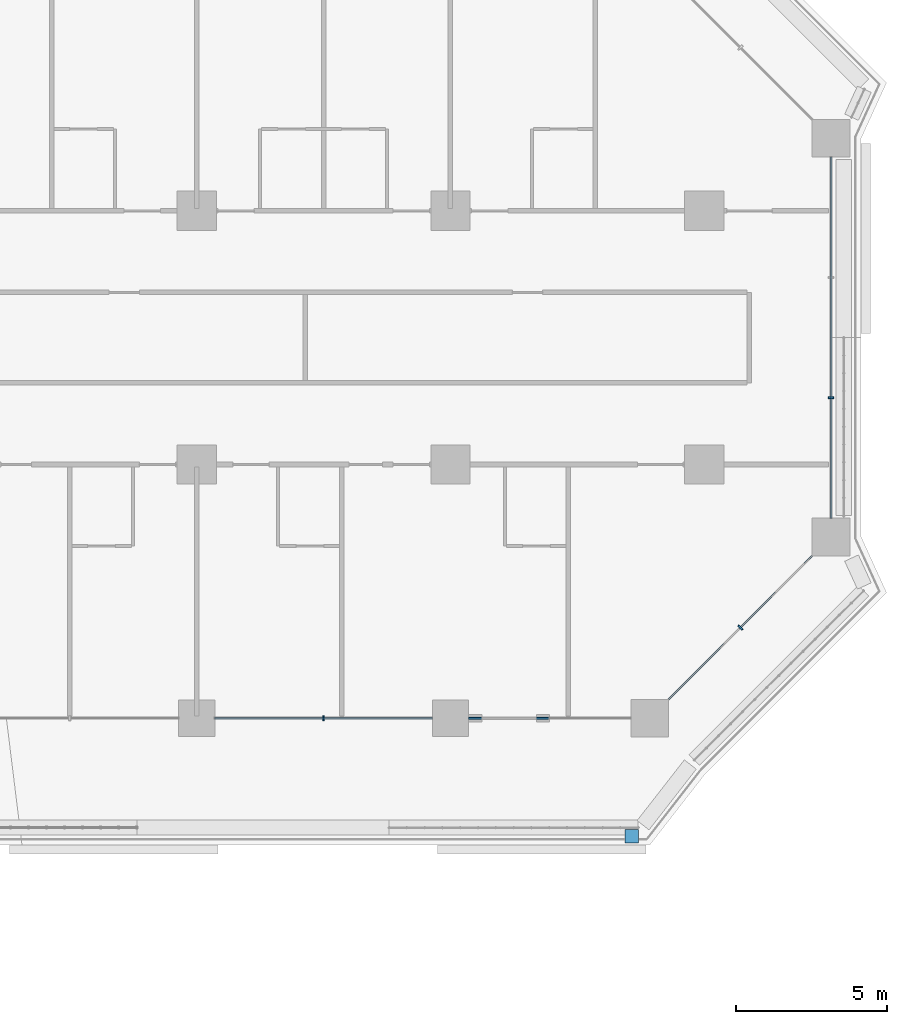
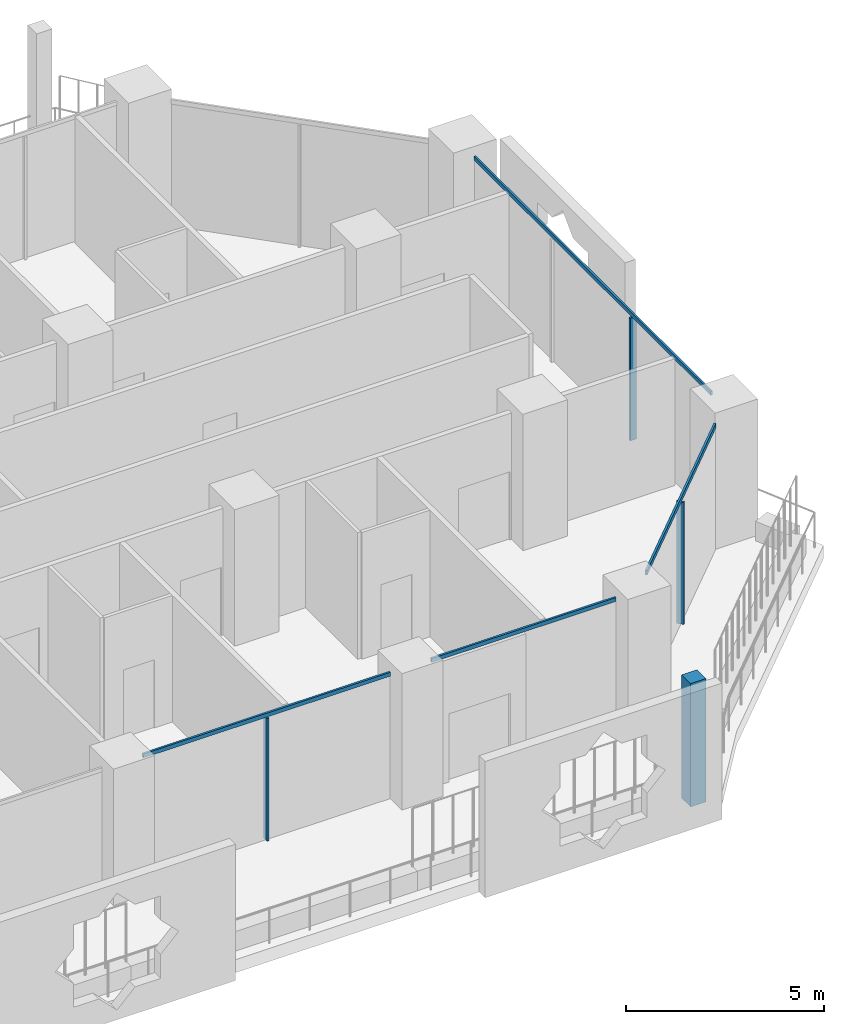
# One storey, part 7 of 28: 8 members, 4 elements without a shape of their own.
"""IFC4 building model written with IfcOpenShell, lengths in metres."""

from ifc_helpers import new_model, si_unit, direction, frame, origin, origin_2d, place, context, subcontext, project, spatial, rectangle, extrude, material, layer, layer_set, material_profile, profile_set, type_object, element, aggregate, save


model = new_model("IFC4")

# Units and contexts
model_context = context("Model", 3, precision=1e-05, world=origin(), true_north=direction((0.0, 1.0)))
body_context = subcontext(model_context, "Body", "Model", "MODEL_VIEW")
ifc_project = project(units=[si_unit("LENGTHUNIT", "METRE"), si_unit("AREAUNIT", "SQUARE_METRE"), si_unit("VOLUMEUNIT", "CUBIC_METRE"), si_unit("PLANEANGLEUNIT", "RADIAN"), si_unit("MASSUNIT", "GRAM", prefix="KILO")], contexts=[model_context])

# Site, building, storey
site_placement = place(None, origin())
site = spatial("IfcSite", under=ifc_project, at=site_placement, CompositionType="ELEMENT")
building_placement = place(site_placement, origin())
building = spatial("IfcBuilding", under=site, at=building_placement, Name="Kawkab Arch Medical Tower", CompositionType="ELEMENT")
storey_placement = place(building_placement, frame((0.0, 0.0, 68.60009765625)))
storey = spatial("IfcBuildingStorey", under=building, at=storey_placement, Name="L15", CompositionType="ELEMENT", Elevation=68.60009765625)

# Curtain wall, member
ifc_material_1 = material(Name="Bronze anodised aluminium curtain wall frame", Category="aluminium")
ifc_layer_1 = layer(ifc_material_1, 0.159912109375)
ifc_layer_set_1 = layer_set([ifc_layer_1], Name="Bronze anodised aluminium curtain wall frame")
curtain_wall_type_1 = type_object("IfcCurtainWallType", Name="CW1 ward curtain wall", PredefinedType="NOTDEFINED", material=ifc_layer_set_1)
placement = place(storey_placement, origin())
curtain_wall_1 = element("IfcCurtainWall", 1, at=placement, inside=storey, type_object=curtain_wall_type_1, Name="CW1 Ward curtain wall R07", PredefinedType="NOTDEFINED")
ifc_material_2 = material(Name="Bronze anodised aluminium curtain wall frame", Category="aluminium")
ifc_material_profile_1 = material_profile(ifc_material_2, rectangle(XDim=0.179931640625, YDim=0.06005859375, at=origin_2d()), Name="AL 60x180")
ifc_profile_set_1 = profile_set([ifc_material_profile_1], Name="Bronze anodised aluminium curtain wall frame")
member_type_1 = type_object("IfcMemberType", Name="CW1 mullion 60 x 180", PredefinedType="MULLION", material=ifc_profile_set_1)
member_1_placement = place(storey_placement, frame((63.0, -25.199951171875, 0.0), z_axis=(0.0, 0.0, 1.0), x_axis=(0.0, 1.0, 0.0)))
member_1 = element("IfcMember", 2, at=member_1_placement, type_object=member_type_1, Name="CW1 mullion 4.1", PredefinedType="MULLION", context=body_context, shape_type="SweptSolid", body=[
    extrude(rectangle(XDim=0.179931640625, YDim=0.06005859375, at=origin_2d()), origin(), (0.0, 0.0, 1.0), 3.77978515625),
])

curtain_wall_2 = element("IfcCurtainWall", 3, at=placement, inside=storey, type_object=curtain_wall_type_1, Name="CW1 Ward curtain wall R09", PredefinedType="NOTDEFINED")
member_2_placement = place(storey_placement, frame((79.800048828125, -14.591552734375, 0.0), z_axis=(0.0, 0.0, 1.0), x_axis=(-1.0, 0.0, 0.0)))
member_2 = element("IfcMember", 4, at=member_2_placement, type_object=member_type_1, Name="CW1 mullion 1.1", PredefinedType="MULLION", context=body_context, shape_type="SweptSolid", body=[
    extrude(rectangle(XDim=0.179931640625, YDim=0.06005859375, at=origin_2d()), origin(), (0.0, 0.0, 1.0), 3.77978515625),
])

# Member
ifc_material_3 = material(Name="Bronze anodised aluminium curtain wall frame", Category="aluminium")
ifc_material_profile_2 = material_profile(ifc_material_3, rectangle(XDim=0.06005859375, YDim=0.1201171875, at=origin_2d()), Name="AL 60x120")
ifc_profile_set_2 = profile_set([ifc_material_profile_2], Name="Bronze anodised aluminium curtain wall frame")
member_type_2 = type_object("IfcMemberType", Name="CW1 transom 120 x 60", PredefinedType="USERDEFINED", material=ifc_profile_set_2)
member_3_placement = place(storey_placement, frame((59.39990234375, -25.199951171875, 3.83984375), z_axis=(1.0, 0.0, 0.0), x_axis=(0.0, 1.0, 0.0)))
member_3 = element("IfcMember", 5, at=member_3_placement, type_object=member_type_2, Name="CW1 transom 4", ObjectType="TRANSOM", PredefinedType="USERDEFINED", context=body_context, shape_type="SweptSolid", body=[
    extrude(rectangle(XDim=0.06005859375, YDim=0.1201171875, at=origin_2d()), origin(), (0.0, 0.0, 1.0), 7.2001953125),
])

member_4_placement = place(storey_placement, frame((67.800048828125, -25.199951171875, 3.83984375), z_axis=(1.0, 0.0, 0.0), x_axis=(0.0, 1.0, 0.0)))
member_4 = element("IfcMember", 6, at=member_4_placement, type_object=member_type_2, Name="CW1 transom 5", ObjectType="TRANSOM", PredefinedType="USERDEFINED", context=body_context, shape_type="SweptSolid", body=[
    extrude(rectangle(XDim=0.06005859375, YDim=0.1201171875, at=origin_2d()), origin(), (0.0, 0.0, 1.0), 5.375),
])

aggregate(curtain_wall_1, [member_3, member_1, member_4])

member_5_placement = place(storey_placement, frame((79.800048828125, -18.574951171875, 3.83984375), z_axis=(0.0, 1.0, 0.0), x_axis=(-1.0, 0.0, 0.0)))
member_5 = element("IfcMember", 7, at=member_5_placement, type_object=member_type_2, Name="CW1 transom 1", ObjectType="TRANSOM", PredefinedType="USERDEFINED", context=body_context, shape_type="SweptSolid", body=[
    extrude(rectangle(XDim=0.06005859375, YDim=0.1201171875, at=origin_2d()), origin(), (0.0, 0.0, 1.0), 11.949951171875),
])

aggregate(curtain_wall_2, [member_5, member_2])

# Curtain wall, members
ifc_material_4 = material(Name="Bronze anodised aluminium curtain wall frame", Category="aluminium")
ifc_layer_2 = layer(ifc_material_4, 0.159912109375)
ifc_layer_set_2 = layer_set([ifc_layer_2], Name="Bronze anodised aluminium curtain wall frame")
curtain_wall_type_2 = type_object("IfcCurtainWallType", Name="CW2 chamfer curtain wall", PredefinedType="NOTDEFINED", material=ifc_layer_set_2)
curtain_wall_3 = element("IfcCurtainWall", 8, at=placement, inside=storey, type_object=curtain_wall_type_2, Name="CW2 Chamfer curtain wall R08", PredefinedType="NOTDEFINED")
ifc_material_5 = material(Name="Bronze anodised aluminium curtain wall frame", Category="aluminium")
ifc_material_profile_3 = material_profile(ifc_material_5, rectangle(XDim=0.199951171875, YDim=0.06005859375, at=origin_2d()), Name="AL 60x200")
ifc_profile_set_3 = profile_set([ifc_material_profile_3], Name="Bronze anodised aluminium curtain wall frame")
member_type_3 = type_object("IfcMemberType", Name="CW2 mullion 60 x 200", PredefinedType="MULLION", material=ifc_profile_set_3)
member_6_placement = place(storey_placement, frame((76.800048828125, -22.199951171875, 0.0), z_axis=(0.0, 0.0, 1.0), x_axis=(-0.707106781187, 0.707106781187, 0.0)))
member_6 = element("IfcMember", 9, at=member_6_placement, type_object=member_type_3, Name="CW2 mullion 1.1", PredefinedType="MULLION", context=body_context, shape_type="SweptSolid", body=[
    extrude(rectangle(XDim=0.199951171875, YDim=0.06005859375, at=origin_2d()), origin(), (0.0, 0.0, 1.0), 3.760009765625),
])
ifc_material_6 = material(Name="Bronze anodised aluminium curtain wall frame", Category="aluminium")
ifc_material_profile_4 = material_profile(ifc_material_6, rectangle(XDim=0.06005859375, YDim=0.139892578125, at=origin_2d()), Name="AL 60x140")
ifc_profile_set_4 = profile_set([ifc_material_profile_4], Name="Bronze anodised aluminium curtain wall frame")
member_type_4 = type_object("IfcMemberType", Name="CW2 transom 140 x 60", PredefinedType="USERDEFINED", material=ifc_profile_set_4)
member_7_placement = place(storey_placement, frame((74.425048828125, -24.574951171875, 3.829833984375), z_axis=(0.707106781187, 0.707106781187, 0.0), x_axis=(-0.707106781187, 0.707106781187, 0.0)))
member_7 = element("IfcMember", 10, at=member_7_placement, type_object=member_type_4, Name="CW2 transom 1", ObjectType="TRANSOM", PredefinedType="USERDEFINED", context=body_context, shape_type="SweptSolid", body=[
    extrude(rectangle(XDim=0.06005859375, YDim=0.139892578125, at=origin_2d()), origin(), (0.0, 0.0, 1.0), 6.717529296875),
])
aggregate(curtain_wall_3, [member_7, member_6])

# Curtain wall, member
ifc_material_7 = material(Name="Bronze anodised aluminium climber frame, planted", Category="aluminium")
ifc_layer_3 = layer(ifc_material_7, 0.449951171875)
ifc_layer_set_3 = layer_set([ifc_layer_3], Name="Bronze anodised aluminium climber frame, planted")
curtain_wall_type_3 = type_object("IfcCurtainWallType", Name="Planted climber frame", PredefinedType="NOTDEFINED", material=ifc_layer_set_3)
curtain_wall_4 = element("IfcCurtainWall", 11, at=placement, inside=storey, type_object=curtain_wall_type_3, Name="Planted climber frame L15", PredefinedType="NOTDEFINED")
ifc_material_8 = material(Name="Bronze anodised aluminium climber frame, planted", Category="aluminium")
ifc_material_profile_5 = material_profile(ifc_material_8, rectangle(XDim=0.449951171875, YDim=0.449951171875, at=origin_2d()), Name="Post 450x450")
ifc_profile_set_5 = profile_set([ifc_material_profile_5], Name="Bronze anodised aluminium climber frame, planted")
member_type_5 = type_object("IfcMemberType", Name="Planted climber post 450 x 450", PredefinedType="MULLION", material=ifc_profile_set_5)
member_8_placement = place(storey_placement, frame((73.202880859375, -29.10009765625, 0.0), z_axis=(0.0, 0.0, 1.0), x_axis=(1.0, 0.0, 0.0)))
member_8 = element("IfcMember", 12, at=member_8_placement, type_object=member_type_5, Name="Planted climber post L15.LOG-01-01.5", PredefinedType="MULLION", context=body_context, shape_type="SweptSolid", body=[
    extrude(rectangle(XDim=0.449951171875, YDim=0.449951171875, at=origin_2d()), origin(), (0.0, 0.0, 1.0), 3.7998046875),
])
aggregate(curtain_wall_4, [member_8])

save(model, "model.ifc")
